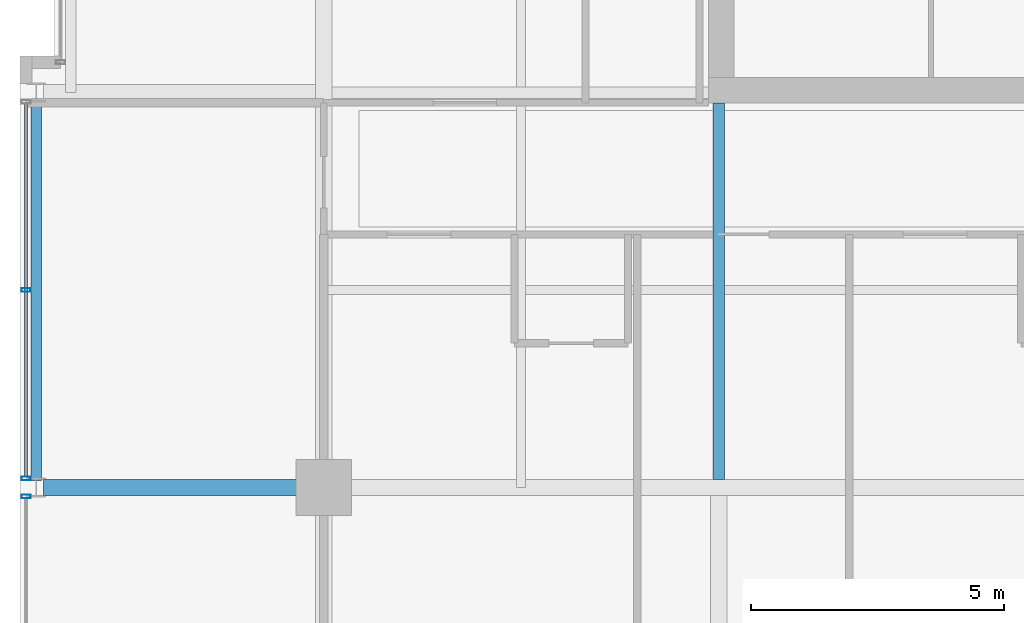
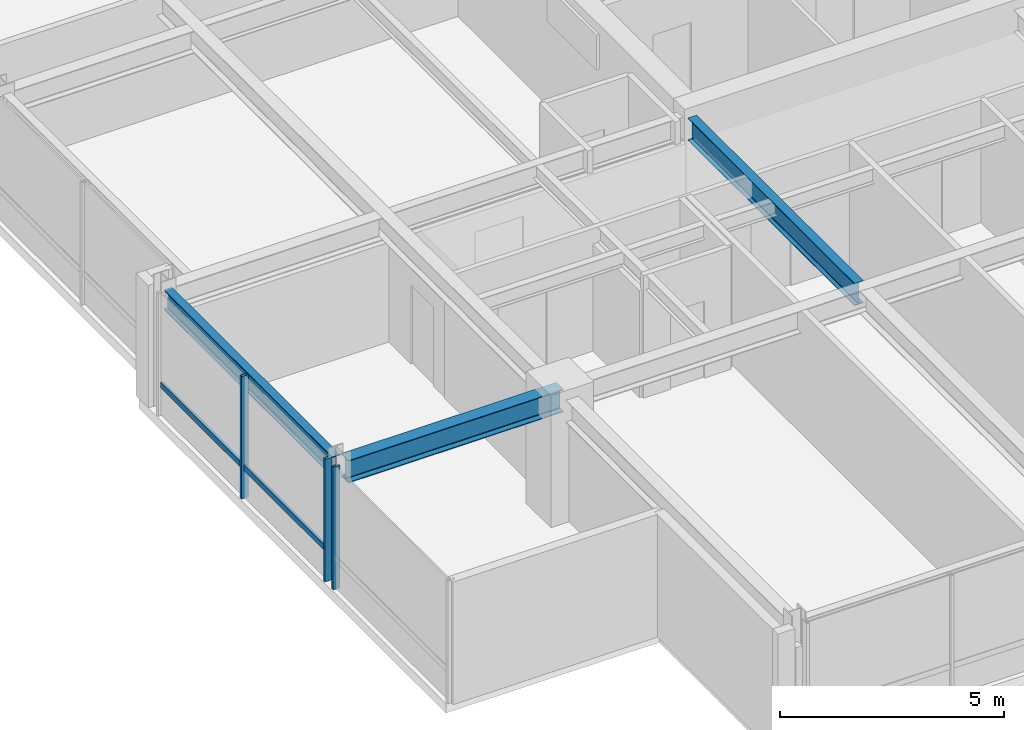
# One storey, part 5 of 33: 4 members, 3 beams, 2 elements without a shape of their own.
"""IFC4 building model written with IfcOpenShell, lengths in metres."""

import ifcopenshell
import ifcopenshell.guid

model = None  # the IFC model being written
_history = None  # IfcOwnerHistory: only IFC2X3 demands one
_inside = {}  # id of a spatial element -> (the spatial element, [elements in it])
_under = {}  # id of a project, library or spatial element -> (it, [spatial elements below it])
_declared = {}  # id of a project -> (the project, [libraries it declares])
_typed = {}  # id of a type object -> (the type object, [elements of that type])
_made_of = {}  # id of a material, layer set ... -> (it, [elements and type objects made of it])


def new_model(schema):
    """Start an empty IFC model of exactly this schema.

    Asked for "IFC4X3", IfcOpenShell would pick the latest addendum, in which some entities
    have other attributes; the version numbers below select the first issue.
    IFC2X3 requires an IfcOwnerHistory on every rooted entity: one is made here for all.
    """
    global model, _history
    if schema == "IFC4X3":
        model = ifcopenshell.file(schema_version=(4, 3, 0, 0))
    else:
        model = ifcopenshell.file(schema=schema)
    _inside.clear()
    _under.clear()
    _declared.clear()
    _typed.clear()
    _made_of.clear()
    _history = None
    if model.schema == "IFC2X3":
        org = make("IfcOrganization", Name="unknown")
        user = make(
            "IfcPersonAndOrganization",
            ThePerson=make("IfcPerson", FamilyName="unknown"),
            TheOrganization=org,
        )
        app = make(
            "IfcApplication",
            ApplicationDeveloper=org,
            Version="unknown",
            ApplicationFullName="unknown",
            ApplicationIdentifier="unknown",
        )
        _history = make(
            "IfcOwnerHistory",
            OwningUser=user,
            OwningApplication=app,
            ChangeAction="ADDED",
            CreationDate=0,
        )
    return model


def make(cls, **values):
    """One entity of the class cls with the attributes given. An attribute that is None is left unset."""
    return model.create_entity(
        cls, **{name: value for name, value in values.items() if value is not None}
    )


def rooted(cls, **values):
    """An entity with a GlobalId (a new one), such as an element, a storey or a relation."""
    return make(cls, GlobalId=ifcopenshell.guid.new(), OwnerHistory=_history, **values)


def si_unit(unit_type, name, prefix=None):
    """IfcSIUnit, for example si_unit("LENGTHUNIT", "METRE", prefix="MILLI")."""
    return make("IfcSIUnit", UnitType=unit_type, Prefix=prefix, Name=name)


def assignment(units):
    """IfcUnitAssignment: the units of a project."""
    return None if units is None else make("IfcUnitAssignment", Units=units)


def point(xyz):
    """IfcCartesianPoint."""
    return None if xyz is None else make("IfcCartesianPoint", Coordinates=xyz)


def direction(xyz):
    """IfcDirection."""
    return None if xyz is None else make("IfcDirection", DirectionRatios=xyz)


def frame(location, z_axis=None, x_axis=None):
    """IfcAxis2Placement3D, a coordinate frame: its origin and axes. An axis left out is left unset."""
    return make(
        "IfcAxis2Placement3D",
        Location=point(location),
        Axis=direction(z_axis),
        RefDirection=direction(x_axis),
    )


def frame_2d(location, x_axis=None):
    """IfcAxis2Placement2D, a coordinate frame in the plane: its origin and x axis."""
    return make(
        "IfcAxis2Placement2D", Location=point(location), RefDirection=direction(x_axis)
    )


def origin():
    """The frame at (0, 0, 0) with its axes left unset."""
    return frame((0.0, 0.0, 0.0))


def origin_2d():
    """The frame at (0, 0) in the plane with its x axis left unset."""
    return frame_2d((0.0, 0.0))


def place(relative_to, where):
    """IfcLocalPlacement: puts the frame where relative to a parent placement (None: the world)."""
    return make(
        "IfcLocalPlacement", PlacementRelTo=relative_to, RelativePlacement=where
    )


def context(
    kind, dimensions, precision=None, world=None, true_north=None, identifier=None
):
    """IfcGeometricRepresentationContext, for example the 3D "Model" context."""
    return make(
        "IfcGeometricRepresentationContext",
        ContextIdentifier=identifier,
        ContextType=kind,
        CoordinateSpaceDimension=dimensions,
        Precision=precision,
        WorldCoordinateSystem=world,
        TrueNorth=true_north,
    )


def subcontext(parent, identifier, kind, view, scale=None):
    """IfcGeometricRepresentationSubContext, for example "Body" below "Model"."""
    return make(
        "IfcGeometricRepresentationSubContext",
        ContextIdentifier=identifier,
        ContextType=kind,
        ParentContext=parent,
        TargetScale=scale,
        TargetView=view,
    )


def project(units=None, contexts=None):
    """IfcProject with its units and contexts."""
    return rooted(
        "IfcProject",
        Name="project",
        RepresentationContexts=contexts,
        UnitsInContext=assignment(units),
    )


def spatial(cls, under=None, at=None, **own):
    """A site, building, storey or space (cls), placed at a placement, below another one or the project."""
    s = rooted(cls, ObjectPlacement=at, **own)
    if under is not None:
        _under.setdefault(under.id(), (under, []))[1].append(s)
    return s


def profile(cls, at=None, kind="AREA", **sizes):
    """A parametric profile (cls). Its sizes go by their IFC names, for example OverallWidth=200.0."""
    return make(cls, ProfileType=kind, Position=at, **sizes)


def hollow_rectangle(**sizes):
    """IfcRectangleHollowProfileDef."""
    return profile("IfcRectangleHollowProfileDef", **sizes)


def i_section(**sizes):
    """IfcIShapeProfileDef."""
    return profile("IfcIShapeProfileDef", **sizes)


def extrude(swept, where, along, depth):
    """IfcExtrudedAreaSolid: the profile swept, set in the frame where, extruded along a direction by depth."""
    return make(
        "IfcExtrudedAreaSolid",
        SweptArea=swept,
        Position=where,
        ExtrudedDirection=direction(along),
        Depth=depth,
    )


def shape(context_of_items, identifier, shape_type, items):
    """IfcShapeRepresentation: the items that make up one representation, for example the "Body"."""
    return make(
        "IfcShapeRepresentation",
        ContextOfItems=context_of_items,
        RepresentationIdentifier=identifier,
        RepresentationType=shape_type,
        Items=items,
    )


def material(Name=None, Category=None):
    """IfcMaterial."""
    return make("IfcMaterial", Name=Name, Category=Category)


def layer(
    of_material, thickness, ventilated=None, Name=None, Category=None, Priority=None
):
    """IfcMaterialLayer: one layer of a wall or slab, of a material (None: an air gap)."""
    return make(
        "IfcMaterialLayer",
        Material=of_material,
        LayerThickness=thickness,
        IsVentilated=ventilated,
        Name=Name,
        Category=Category,
        Priority=Priority,
    )


def layer_set(layers, Name=None):
    """IfcMaterialLayerSet."""
    return make("IfcMaterialLayerSet", MaterialLayers=layers, LayerSetName=Name)


def material_profile(
    of_material, cross_section, Name=None, Category=None, Priority=None
):
    """IfcMaterialProfile: a cross section and its material."""
    return make(
        "IfcMaterialProfile",
        Name=Name,
        Material=of_material,
        Profile=cross_section,
        Priority=Priority,
        Category=Category,
    )


def profile_set(profiles, Name=None, composite=None):
    """IfcMaterialProfileSet."""
    return make(
        "IfcMaterialProfileSet",
        Name=Name,
        MaterialProfiles=profiles,
        CompositeProfile=composite,
    )


def made_of(thing, what):
    """Note that an element or type object is made of a material, layer set ...; save() writes the relation."""
    if what is not None:
        _made_of.setdefault(what.id(), (what, []))[1].append(thing)
    return thing


def type_object(cls, material=None, **own):
    """A type object (cls), such as IfcWallType, which elements share."""
    return made_of(rooted(cls, **own), material)


def element(
    cls,
    number,
    at=None,
    inside=None,
    cuts=None,
    type_object=None,
    material=None,
    context=None,
    identifier="Body",
    shape_type=None,
    held_by="IfcProductDefinitionShape",
    body=None,
    shapes=None,
    **own,
):
    """One element of the class cls, such as IfcWall. Its Tag is "e" and its number.

    at: its placement. inside: the storey or other place that contains it. cuts: it is an
    opening in that element (IfcRelVoidsElement). A single representation is given by context,
    identifier, shape_type and body (its items); several are given by shapes. held_by: the class
    of the entity that holds the representations. save() writes the other relations.
    """
    e = rooted(cls, Tag="e%d" % number, ObjectPlacement=at, **own)
    if body is not None:
        shapes = [shape(context, identifier, shape_type, body)]
    if shapes is not None:
        e.Representation = make(held_by, Representations=shapes)
    if inside is not None:
        _inside.setdefault(inside.id(), (inside, []))[1].append(e)
    if cuts is not None:
        rooted(
            "IfcRelVoidsElement", RelatingBuildingElement=cuts, RelatedOpeningElement=e
        )
    if type_object is not None:
        _typed.setdefault(type_object.id(), (type_object, []))[1].append(e)
    return made_of(e, material)


def aggregate(whole, parts):
    """IfcRelAggregates: a whole, such as a stair, and the parts it consists of."""
    return rooted("IfcRelAggregates", RelatingObject=whole, RelatedObjects=parts)


def save(model, path):
    """Write the relations noted so far, then the file.

    IfcRelAggregates (storeys below a building ...), IfcRelContainedInSpatialStructure (elements
    in a storey), IfcRelDefinesByType, IfcRelAssociatesMaterial and IfcRelDeclares: one each for
    every whole, place, type object, material and project.
    """
    for whole, parts in _under.values():
        aggregate(whole, parts)
    for where, things in _inside.values():
        rooted(
            "IfcRelContainedInSpatialStructure",
            RelatedElements=things,
            RelatingStructure=where,
        )
    for kind, things in _typed.values():
        rooted("IfcRelDefinesByType", RelatedObjects=things, RelatingType=kind)
    for what, things in _made_of.values():
        rooted("IfcRelAssociatesMaterial", RelatedObjects=things, RelatingMaterial=what)
    for by, libraries in _declared.values():
        rooted("IfcRelDeclares", RelatingContext=by, RelatedDefinitions=libraries)
    model.write(path)


model = new_model("IFC4")

# Units and contexts
model_context = context("Model", 3, precision=1e-05, world=origin(), true_north=direction((0.0, 1.0)))
body_context = subcontext(model_context, "Body", "Model", "MODEL_VIEW")
ifc_project = project(units=[si_unit("LENGTHUNIT", "METRE"), si_unit("AREAUNIT", "SQUARE_METRE"), si_unit("VOLUMEUNIT", "CUBIC_METRE"), si_unit("PLANEANGLEUNIT", "RADIAN"), si_unit("MASSUNIT", "GRAM", prefix="KILO")], contexts=[model_context])

# Site, building, storey
site_placement = place(None, origin())
site = spatial("IfcSite", under=ifc_project, at=site_placement, CompositionType="ELEMENT")
building_placement = place(site_placement, origin())
building = spatial("IfcBuilding", under=site, at=building_placement, Name="Drelvath Grand Hotel", CompositionType="ELEMENT")
storey_placement = place(building_placement, frame((0.0, 0.0, 248.300048828125)))
storey = spatial("IfcBuildingStorey", under=building, at=storey_placement, Name="L65", CompositionType="ELEMENT", Elevation=248.300048828125)

# Curtain wall, member
ifc_material_1 = material(Name="Platinum-Mist Anodised Aluminium Frame", Category="aluminium")
ifc_layer = layer(ifc_material_1, 0.199951171875)
ifc_layer_set = layer_set([ifc_layer], Name="Platinum-Mist Anodised Aluminium Frame")
curtain_wall_type = type_object("IfcCurtainWallType", Name="Stick Curtain Wall CW-05 Platinum Mist High-Rise", PredefinedType="NOTDEFINED", material=ifc_layer_set)
curtain_wall_1_placement = place(storey_placement, origin())
curtain_wall_1 = element("IfcCurtainWall", 1, at=curtain_wall_1_placement, inside=storey, type_object=curtain_wall_type, Name="L65 CW-05 Curtain Wall CW05-L65-WS2", PredefinedType="NOTDEFINED")
ifc_material_profile_1 = material_profile(ifc_material_1, hollow_rectangle(XDim=0.06494140625, YDim=0.159912109375, WallThickness=0.00390625, at=origin_2d()), Name="HSS160X65X4")
ifc_profile_set_1 = profile_set([ifc_material_profile_1], Name="Platinum-Mist Anodised Aluminium Frame")
member_type_1 = type_object("IfcMemberType", Name="Curtain Wall Horizontal Transom CW-05 HSS160X65X4", PredefinedType="USERDEFINED", material=ifc_profile_set_1)
member_1_placement = place(storey_placement, frame((-22.080078125, 11.018310546875, 0.8349609375), z_axis=(0.0, 1.0, 0.0), x_axis=(-1.0, 0.0, 0.0)))
member_1 = element("IfcMember", 2, at=member_1_placement, type_object=member_type_1, Name="CW05-L65-WS2 Sill Transom", ObjectType="TRANSOM", PredefinedType="USERDEFINED", context=body_context, shape_type="SweptSolid", body=[
    extrude(hollow_rectangle(XDim=0.06494140625, YDim=0.159912109375, WallThickness=0.00390625, at=origin_2d()), origin(), (0.0, 0.0, 1.0), 7.363525390625),
])

curtain_wall_2_placement = place(storey_placement, origin())
curtain_wall_2 = element("IfcCurtainWall", 3, at=curtain_wall_2_placement, inside=storey, type_object=curtain_wall_type, Name="L65 CW-05 Curtain Wall CW05-L65-WS1", PredefinedType="NOTDEFINED")
ifc_material_profile_2 = material_profile(ifc_material_1, hollow_rectangle(XDim=0.074951171875, YDim=0.179931640625, WallThickness=0.0048828125, at=origin_2d()), Name="HSS180X75X5")
ifc_profile_set_2 = profile_set([ifc_material_profile_2], Name="Platinum-Mist Anodised Aluminium Frame")
member_type_2 = type_object("IfcMemberType", Name="Curtain Wall Vertical Mullion CW-05 HSS180X75X5", PredefinedType="MULLION", material=ifc_profile_set_2)
member_2_placement = place(storey_placement, frame((-22.080078125, 10.621826171875, 0.0), z_axis=(0.0, 0.0, 1.0), x_axis=(0.0, 1.0, 0.0)))
member_2 = element("IfcMember", 4, at=member_2_placement, type_object=member_type_2, Name="CW05-L65-WS1 Mullion 2", PredefinedType="MULLION", context=body_context, shape_type="SweptSolid", body=[
    extrude(hollow_rectangle(XDim=0.074951171875, YDim=0.179931640625, WallThickness=0.0048828125, at=origin_2d()), origin(), (0.0, 0.0, 1.0), 3.33984375),
])
aggregate(curtain_wall_2, [member_2])

# Member
member_3_placement = place(storey_placement, frame((-22.080078125, 10.978271484375, 0.0), z_axis=(0.0, 0.0, 1.0), x_axis=(0.0, 1.0, 0.0)))
member_3 = element("IfcMember", 5, at=member_3_placement, type_object=member_type_2, Name="CW05-L65-WS2 Mullion 1", PredefinedType="MULLION", context=body_context, shape_type="SweptSolid", body=[
    extrude(hollow_rectangle(XDim=0.074951171875, YDim=0.179931640625, WallThickness=0.0048828125, at=origin_2d()), origin(), (0.0, 0.0, 1.0), 3.33984375),
])

member_4_placement = place(storey_placement, frame((-22.080078125, 14.699951171875, 0.0), z_axis=(0.0, 0.0, 1.0), x_axis=(0.0, 1.0, 0.0)))
member_4 = element("IfcMember", 6, at=member_4_placement, type_object=member_type_2, Name="CW05-L65-WS2 Mullion 2", PredefinedType="MULLION", context=body_context, shape_type="SweptSolid", body=[
    extrude(hollow_rectangle(XDim=0.074951171875, YDim=0.179931640625, WallThickness=0.0048828125, at=origin_2d()), origin(), (0.0, 0.0, 1.0), 3.33984375),
])

aggregate(curtain_wall_1, [member_3, member_4, member_1])

# Beams
ifc_material_2 = material(Name="Steel ASTM A992 Gr 50", Category="steel")
ifc_material_profile_3 = material_profile(ifc_material_2, i_section(OverallWidth=0.210205078125, OverallDepth=0.53662109375, WebThickness=0.010986328125, FlangeThickness=0.017333984375, FilletRadius=0.01806640625, at=origin_2d()), Name="W21X68")
ifc_profile_set_3 = profile_set([ifc_material_profile_3], Name="Steel ASTM A992 Gr 50")
beam_type_1 = type_object("IfcBeamType", Name="Perimeter Spandrel Beam W21X68", PredefinedType="SPANDREL", material=ifc_profile_set_3)
beam_1_placement = place(storey_placement, frame((-21.8798828125, 10.93994140625, 3.071533203125), z_axis=(0.0, 1.0, 0.0), x_axis=(-1.0, 0.0, 0.0)))
element("IfcBeam", 7, at=beam_1_placement, inside=storey, type_object=beam_type_1, Name="L65 Spandrel West S", PredefinedType="SPANDREL", context=body_context, shape_type="SweptSolid", body=[
    extrude(i_section(OverallWidth=0.210205078125, OverallDepth=0.53662109375, WebThickness=0.010986328125, FlangeThickness=0.017333984375, FilletRadius=0.01806640625, at=origin_2d()), origin(), (0.0, 0.0, 1.0), 7.52001953125),
])
ifc_material_profile_4 = material_profile(ifc_material_2, i_section(OverallWidth=0.323974609375, OverallDepth=0.611083984375, WebThickness=0.0126953125, FlangeThickness=0.01904296875, FilletRadius=0.02197265625, at=origin_2d()), Name="W24X104")
ifc_profile_set_4 = profile_set([ifc_material_profile_4], Name="Steel ASTM A992 Gr 50")
beam_type_2 = type_object("IfcBeamType", Name="Primary Floor Girder W24X104", PredefinedType="BEAM", material=ifc_profile_set_4)
beam_2_placement = place(storey_placement, frame((-21.739990234375, 10.800048828125, 3.034423828125), z_axis=(1.0, 0.0, 0.0), x_axis=(0.0, 1.0, 0.0)))
element("IfcBeam", 8, at=beam_2_placement, inside=storey, type_object=beam_type_2, Name="L65 West Grid Girder C", PredefinedType="BEAM", context=body_context, shape_type="SweptSolid", body=[
    extrude(i_section(OverallWidth=0.323974609375, OverallDepth=0.611083984375, WebThickness=0.0126953125, FlangeThickness=0.01904296875, FilletRadius=0.02197265625, at=origin_2d()), origin(), (0.0, 0.0, 1.0), 5.5400390625),
])
ifc_material_profile_5 = material_profile(ifc_material_2, i_section(OverallWidth=0.228271484375, OverallDepth=0.607666015625, WebThickness=0.01123046875, FlangeThickness=0.017333984375, FilletRadius=0.02001953125, at=origin_2d()), Name="W24X76")
ifc_profile_set_5 = profile_set([ifc_material_profile_5], Name="Steel ASTM A992 Gr 50")
beam_type_3 = type_object("IfcBeamType", Name="Primary Floor Girder W24X76", PredefinedType="BEAM", material=ifc_profile_set_5)
beam_3_placement = place(storey_placement, frame((-8.39990234375, 10.9619140625, 3.0361328125), z_axis=(0.0, 1.0, 0.0), x_axis=(-1.0, 0.0, 0.0)))
element("IfcBeam", 9, at=beam_3_placement, inside=storey, type_object=beam_type_3, Name="L65 South Core Tie 4", PredefinedType="BEAM", context=body_context, shape_type="SweptSolid", body=[
    extrude(i_section(OverallWidth=0.228271484375, OverallDepth=0.607666015625, WebThickness=0.01123046875, FlangeThickness=0.017333984375, FilletRadius=0.02001953125, at=origin_2d()), origin(), (0.0, 0.0, 1.0), 7.43798828125),
])

save(model, "model.ifc")
